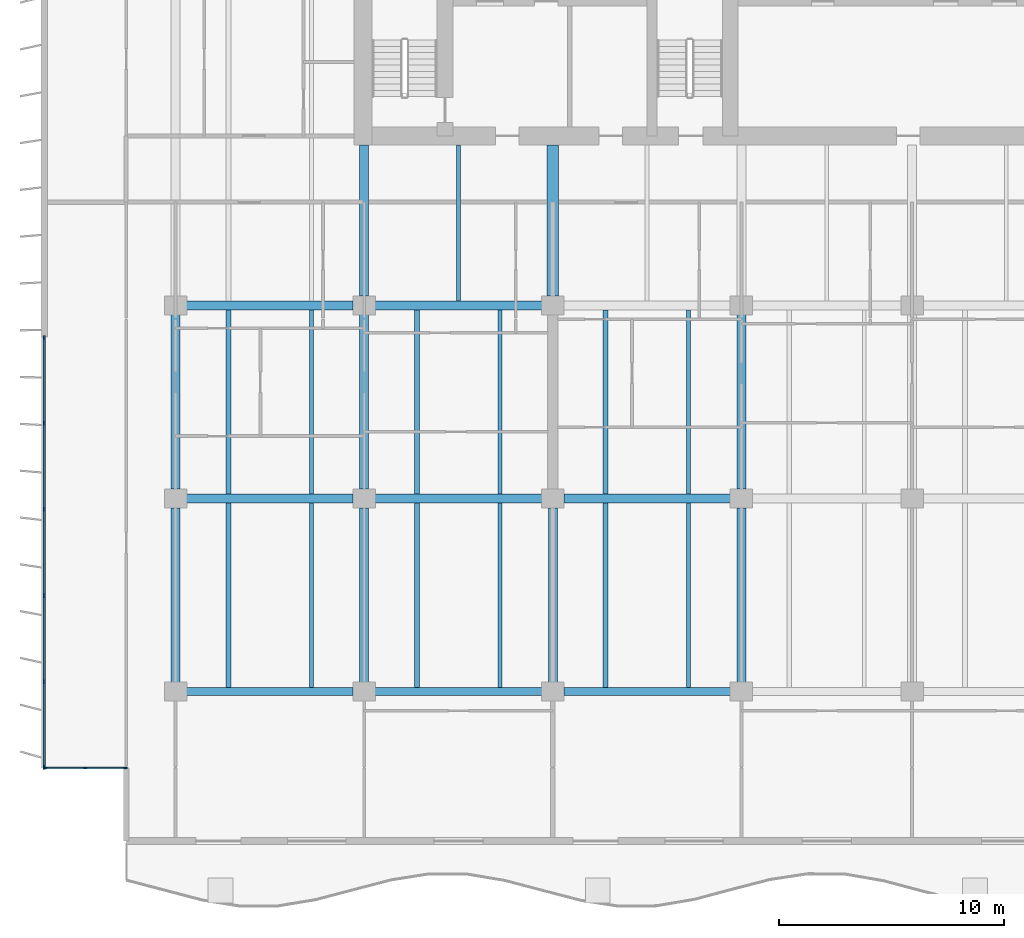
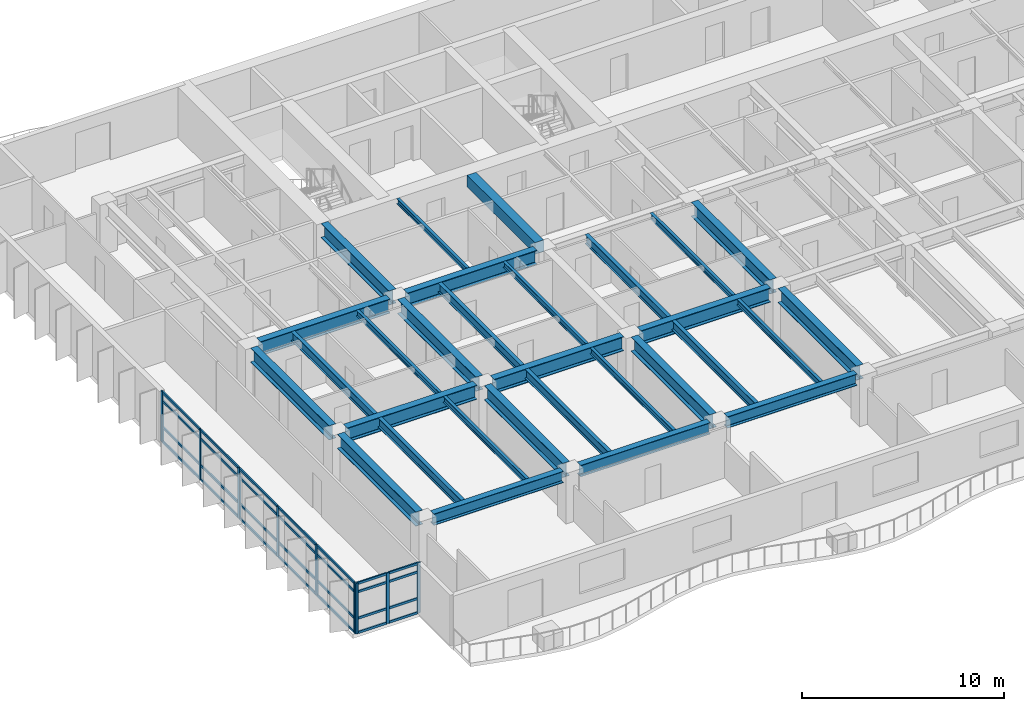
# One storey, part 2 of 15: 37 members, 30 beams, 2 elements without a shape of their own.
"""IFC4 building model written with IfcOpenShell, lengths in metres."""

from ifc_helpers import new_model, si_unit, direction, frame, origin, origin_2d, place, context, subcontext, project, spatial, rectangle, i_section, extrude, material, layer, layer_set, material_profile, profile_set, type_object, element, aggregate, save


model = new_model("IFC4")

# Units and contexts
model_context = context("Model", 3, precision=1e-05, world=origin(), true_north=direction((0.0, 1.0)))
body_context = subcontext(model_context, "Body", "Model", "MODEL_VIEW")
ifc_project = project(units=[si_unit("LENGTHUNIT", "METRE"), si_unit("AREAUNIT", "SQUARE_METRE"), si_unit("VOLUMEUNIT", "CUBIC_METRE"), si_unit("PLANEANGLEUNIT", "RADIAN"), si_unit("MASSUNIT", "GRAM", prefix="KILO")], contexts=[model_context])

# Site, building, storey
site_placement = place(None, origin())
site = spatial("IfcSite", under=ifc_project, at=site_placement, CompositionType="ELEMENT")
building_placement = place(site_placement, origin())
building = spatial("IfcBuilding", under=site, at=building_placement, Name="Caelmar Bay Residences", CompositionType="ELEMENT")
storey_placement = place(building_placement, frame((0.0, 0.0, 138.89990234375)))
storey = spatial("IfcBuildingStorey", under=building, at=storey_placement, Name="L38", CompositionType="ELEMENT", Elevation=138.89990234375)

# Beams
ifc_material_1 = material(Name="Steel ASTM A992 Grade 50", Category="steel")
ifc_material_profile_1 = material_profile(ifc_material_1, i_section(OverallWidth=0.40087890625, OverallDepth=0.861083984375, WebThickness=0.019775390625, FlangeThickness=0.032470703125, FilletRadius=0.017822265625, at=origin_2d()), Name="W33X221")
ifc_profile_set_1 = profile_set([ifc_material_profile_1], Name="Steel ASTM A992 Grade 50")
beam_type_1 = type_object("IfcBeamType", Name="BM-GRD-W33X221", PredefinedType="BEAM", material=ifc_profile_set_1)
beam_1_placement = place(storey_placement, frame((10.389892578125, 20.800048828125, 2.61962890625), z_axis=(1.0, 0.0, 0.0), x_axis=(0.0, 1.0, 0.0)))
element("IfcBeam", 1, at=beam_1_placement, inside=storey, type_object=beam_type_1, Name="L38 East-West Girder Y=20.80 (9.9-18.3)", PredefinedType="BEAM", context=body_context, shape_type="SweptSolid", body=[
    extrude(i_section(OverallWidth=0.40087890625, OverallDepth=0.861083984375, WebThickness=0.019775390625, FlangeThickness=0.032470703125, FilletRadius=0.017822265625, at=origin_2d()), origin(), (0.0, 0.0, 1.0), 7.420166015625),
])
beam_2_placement = place(storey_placement, frame((18.7900390625, 20.800048828125, 2.61962890625), z_axis=(1.0, 0.0, 0.0), x_axis=(0.0, 1.0, 0.0)))
element("IfcBeam", 2, at=beam_2_placement, inside=storey, type_object=beam_type_1, Name="L38 East-West Girder Y=20.80 (18.3-26.7)", PredefinedType="BEAM", context=body_context, shape_type="SweptSolid", body=[
    extrude(i_section(OverallWidth=0.40087890625, OverallDepth=0.861083984375, WebThickness=0.019775390625, FlangeThickness=0.032470703125, FilletRadius=0.017822265625, at=origin_2d()), origin(), (0.0, 0.0, 1.0), 7.419921875),
])
for number, where, z_axis, x_axis, name in (
    (3, (27.18994140625, 20.800048828125, 2.61962890625), (1.0, 0.0, 0.0), (0.0, 1.0, 0.0), "L38 East-West Girder Y=20.80 (26.7-35.1)"),
    (4, (10.389892578125, 29.39990234375, 2.61962890625), (1.0, 0.0, 0.0), (0.0, 1.0, 0.0), "L38 East-West Girder Y=29.40 (9.9-18.3)"),
):
    element("IfcBeam", number, at=place(storey_placement, frame(where, z_axis=z_axis, x_axis=x_axis)), inside=storey, type_object=beam_type_1, Name=name, PredefinedType="BEAM", context=body_context, shape_type="SweptSolid", body=[
        extrude(i_section(OverallWidth=0.40087890625, OverallDepth=0.861083984375, WebThickness=0.019775390625, FlangeThickness=0.032470703125, FilletRadius=0.017822265625, at=origin_2d()), origin(), (0.0, 0.0, 1.0), 7.420166015625),
    ])
beam_3_placement = place(storey_placement, frame((18.7900390625, 29.39990234375, 2.61962890625), z_axis=(1.0, 0.0, 0.0), x_axis=(0.0, 1.0, 0.0)))
element("IfcBeam", 5, at=beam_3_placement, inside=storey, type_object=beam_type_1, Name="L38 East-West Girder Y=29.40 (18.3-26.7)", PredefinedType="BEAM", context=body_context, shape_type="SweptSolid", body=[
    extrude(i_section(OverallWidth=0.40087890625, OverallDepth=0.861083984375, WebThickness=0.019775390625, FlangeThickness=0.032470703125, FilletRadius=0.017822265625, at=origin_2d()), origin(), (0.0, 0.0, 1.0), 7.419921875),
])
for number, where, z_axis, x_axis, name in (
    (6, (9.89990234375, 12.614990234375, 2.61962890625), (0.0, 1.0, 0.0), (-1.0, 0.0, 0.0), "L38 North-South Girder X=9.90 (12.2-20.8)"),
    (7, (9.89990234375, 21.215087890625, 2.61962890625), (0.0, 1.0, 0.0), (-1.0, 0.0, 0.0), "L38 North-South Girder X=9.90 (20.8-29.4)"),
):
    element("IfcBeam", number, at=place(storey_placement, frame(where, z_axis=z_axis, x_axis=x_axis)), inside=storey, type_object=beam_type_1, Name=name, PredefinedType="BEAM", context=body_context, shape_type="SweptSolid", body=[
        extrude(i_section(OverallWidth=0.40087890625, OverallDepth=0.861083984375, WebThickness=0.019775390625, FlangeThickness=0.032470703125, FilletRadius=0.017822265625, at=origin_2d()), origin(), (0.0, 0.0, 1.0), 7.77001953125),
    ])
beam_4_placement = place(storey_placement, frame((18.300048828125, 29.81494140625, 2.61962890625), z_axis=(0.0, 1.0, 0.0), x_axis=(-1.0, 0.0, 0.0)))
element("IfcBeam", 8, at=beam_4_placement, inside=storey, type_object=beam_type_1, Name="L38 Core Tie Girder X=18.30", PredefinedType="BEAM", context=body_context, shape_type="SweptSolid", body=[
    extrude(i_section(OverallWidth=0.40087890625, OverallDepth=0.861083984375, WebThickness=0.019775390625, FlangeThickness=0.032470703125, FilletRadius=0.017822265625, at=origin_2d()), origin(), (0.0, 0.0, 1.0), 6.735107421875),
])
for number, where, z_axis, x_axis, name in (
    (9, (18.300048828125, 12.614990234375, 2.61962890625), (0.0, 1.0, 0.0), (-1.0, 0.0, 0.0), "L38 North-South Girder X=18.30 (12.2-20.8)"),
    (10, (18.300048828125, 21.215087890625, 2.61962890625), (0.0, 1.0, 0.0), (-1.0, 0.0, 0.0), "L38 North-South Girder X=18.30 (20.8-29.4)"),
    (11, (26.699951171875, 12.614990234375, 2.61962890625), (0.0, 1.0, 0.0), (-1.0, 0.0, 0.0), "L38 North-South Girder X=26.70 (12.2-20.8)"),
    (12, (35.10009765625, 12.614990234375, 2.61962890625), (0.0, 1.0, 0.0), (-1.0, 0.0, 0.0), "L38 North-South Girder X=35.10 (12.2-20.8)"),
    (13, (35.10009765625, 21.215087890625, 2.61962890625), (0.0, 1.0, 0.0), (-1.0, 0.0, 0.0), "L38 North-South Girder X=35.10 (20.8-29.4)"),
):
    element("IfcBeam", number, at=place(storey_placement, frame(where, z_axis=z_axis, x_axis=x_axis)), inside=storey, type_object=beam_type_1, Name=name, PredefinedType="BEAM", context=body_context, shape_type="SweptSolid", body=[
        extrude(i_section(OverallWidth=0.40087890625, OverallDepth=0.861083984375, WebThickness=0.019775390625, FlangeThickness=0.032470703125, FilletRadius=0.017822265625, at=origin_2d()), origin(), (0.0, 0.0, 1.0), 7.77001953125),
    ])
ifc_material_profile_2 = material_profile(ifc_material_1, i_section(OverallWidth=0.1650390625, OverallDepth=0.31005859375, WebThickness=0.005859375, FlangeThickness=0.009765625, FilletRadius=0.007568359375, at=origin_2d()), Name="W12X26")
ifc_profile_set_2 = profile_set([ifc_material_profile_2], Name="Steel ASTM A992 Grade 50")
beam_type_2 = type_object("IfcBeamType", Name="BM-JST-W12X26", PredefinedType="JOIST", material=ifc_profile_set_2)
beam_5_placement = place(storey_placement, frame((22.5, 29.6005859375, 2.89501953125), z_axis=(0.0, 1.0, 0.0), x_axis=(-1.0, 0.0, 0.0)))
element("IfcBeam", 14, at=beam_5_placement, inside=storey, type_object=beam_type_2, Name="L38 Core-Band Composite Joist 29", PredefinedType="JOIST", context=body_context, shape_type="SweptSolid", body=[
    extrude(i_section(OverallWidth=0.1650390625, OverallDepth=0.31005859375, WebThickness=0.005859375, FlangeThickness=0.009765625, FilletRadius=0.007568359375, at=origin_2d()), origin(), (0.0, 0.0, 1.0), 6.949462890625),
])
ifc_material_profile_3 = material_profile(ifc_material_1, i_section(OverallWidth=0.1708984375, OverallDepth=0.35595703125, WebThickness=0.007080078125, FlangeThickness=0.01171875, FilletRadius=0.007568359375, at=origin_2d()), Name="W14X34")
ifc_profile_set_3 = profile_set([ifc_material_profile_3], Name="Steel ASTM A992 Grade 50")
beam_type_3 = type_object("IfcBeamType", Name="BM-JST-W14X34", PredefinedType="JOIST", material=ifc_profile_set_3)
for number, where, z_axis, x_axis, name in (
    (15, (15.947998046875, 12.3779296875, 2.8720703125), (0.0, 1.0, 0.0), (-1.0, 0.0, 0.0), "L38 Composite Floor Joist 2"),
    (16, (24.347900390625, 12.3779296875, 2.8720703125), (0.0, 1.0, 0.0), (-1.0, 0.0, 0.0), "L38 Composite Floor Joist 4"),
    (17, (32.748046875, 12.3779296875, 2.8720703125), (0.0, 1.0, 0.0), (-1.0, 0.0, 0.0), "L38 Composite Floor Joist 6"),
):
    element("IfcBeam", number, at=place(storey_placement, frame(where, z_axis=z_axis, x_axis=x_axis)), inside=storey, type_object=beam_type_3, Name=name, PredefinedType="JOIST", context=body_context, shape_type="SweptSolid", body=[
        extrude(i_section(OverallWidth=0.1708984375, OverallDepth=0.35595703125, WebThickness=0.007080078125, FlangeThickness=0.01171875, FilletRadius=0.007568359375, at=origin_2d()), origin(), (0.0, 0.0, 1.0), 8.2216796875),
    ])
for number, where, z_axis, x_axis, name in (
    (18, (15.947998046875, 21.00048828125, 2.8720703125), (0.0, 1.0, 0.0), (-1.0, 0.0, 0.0), "L38 Composite Floor Joist 16"),
    (19, (24.347900390625, 21.00048828125, 2.8720703125), (0.0, 1.0, 0.0), (-1.0, 0.0, 0.0), "L38 Composite Floor Joist 18"),
    (20, (32.748046875, 21.00048828125, 2.8720703125), (0.0, 1.0, 0.0), (-1.0, 0.0, 0.0), "L38 Composite Floor Joist 20"),
):
    element("IfcBeam", number, at=place(storey_placement, frame(where, z_axis=z_axis, x_axis=x_axis)), inside=storey, type_object=beam_type_3, Name=name, PredefinedType="JOIST", context=body_context, shape_type="SweptSolid", body=[
        extrude(i_section(OverallWidth=0.1708984375, OverallDepth=0.35595703125, WebThickness=0.007080078125, FlangeThickness=0.01171875, FilletRadius=0.007568359375, at=origin_2d()), origin(), (0.0, 0.0, 1.0), 8.198974609375),
    ])
ifc_material_profile_4 = material_profile(ifc_material_1, i_section(OverallWidth=0.214111328125, OverallDepth=0.549072265625, WebThickness=0.0146484375, FlangeThickness=0.023681640625, FilletRadius=0.0126953125, at=origin_2d()), Name="W21X93")
ifc_profile_set_4 = profile_set([ifc_material_profile_4], Name="Steel ASTM A992 Grade 50")
beam_type_4 = type_object("IfcBeamType", Name="BM-JST-W21X93", PredefinedType="JOIST", material=ifc_profile_set_4)
for number, where, z_axis, x_axis, name in (
    (21, (12.251953125, 12.3779296875, 2.775634765625), (0.0, 1.0, 0.0), (-1.0, 0.0, 0.0), "L38 Composite Floor Joist 1"),
    (22, (20.652099609375, 12.3779296875, 2.775634765625), (0.0, 1.0, 0.0), (-1.0, 0.0, 0.0), "L38 Composite Floor Joist 3"),
    (23, (29.052001953125, 12.3779296875, 2.775634765625), (0.0, 1.0, 0.0), (-1.0, 0.0, 0.0), "L38 Composite Floor Joist 5"),
):
    element("IfcBeam", number, at=place(storey_placement, frame(where, z_axis=z_axis, x_axis=x_axis)), inside=storey, type_object=beam_type_4, Name=name, PredefinedType="JOIST", context=body_context, shape_type="SweptSolid", body=[
        extrude(i_section(OverallWidth=0.214111328125, OverallDepth=0.549072265625, WebThickness=0.0146484375, FlangeThickness=0.023681640625, FilletRadius=0.0126953125, at=origin_2d()), origin(), (0.0, 0.0, 1.0), 8.2216796875),
    ])
for number, where, z_axis, x_axis, name in (
    (24, (12.251953125, 21.00048828125, 2.775634765625), (0.0, 1.0, 0.0), (-1.0, 0.0, 0.0), "L38 Composite Floor Joist 15"),
    (25, (20.652099609375, 21.00048828125, 2.775634765625), (0.0, 1.0, 0.0), (-1.0, 0.0, 0.0), "L38 Composite Floor Joist 17"),
    (26, (29.052001953125, 21.00048828125, 2.775634765625), (0.0, 1.0, 0.0), (-1.0, 0.0, 0.0), "L38 Composite Floor Joist 19"),
):
    element("IfcBeam", number, at=place(storey_placement, frame(where, z_axis=z_axis, x_axis=x_axis)), inside=storey, type_object=beam_type_4, Name=name, PredefinedType="JOIST", context=body_context, shape_type="SweptSolid", body=[
        extrude(i_section(OverallWidth=0.214111328125, OverallDepth=0.549072265625, WebThickness=0.0146484375, FlangeThickness=0.023681640625, FilletRadius=0.0126953125, at=origin_2d()), origin(), (0.0, 0.0, 1.0), 8.198974609375),
    ])
ifc_material_2 = material(Name="Concrete f'c 55 MPa (8,000 psi)", Category="concrete")
ifc_material_profile_5 = material_profile(ifc_material_2, rectangle(XDim=0.5, YDim=0.699951171875, at=origin_2d()), Name="RC-BM-500X700")
ifc_profile_set_5 = profile_set([ifc_material_profile_5], Name="Concrete f'c 55 MPa (8,000 psi)")
beam_type_5 = type_object("IfcBeamType", Name="BM-RC-500X700", PredefinedType="LINTEL", material=ifc_profile_set_5)
beam_6_placement = place(storey_placement, frame((26.699951171875, 29.81494140625, 2.7001953125), z_axis=(0.0, 1.0, 0.0), x_axis=(-1.0, 0.0, 0.0)))
element("IfcBeam", 27, at=beam_6_placement, inside=storey, type_object=beam_type_5, Name="L38 Shear-Wall Corridor Coupling Lintel W5", PredefinedType="LINTEL", context=body_context, shape_type="SweptSolid", body=[
    extrude(rectangle(XDim=0.5, YDim=0.699951171875, at=origin_2d()), origin(), (0.0, 0.0, 1.0), 6.735107421875),
])
ifc_material_profile_6 = material_profile(ifc_material_1, i_section(OverallWidth=0.35595703125, OverallDepth=0.696044921875, WebThickness=0.015380859375, FlangeThickness=0.02490234375, FilletRadius=0.01513671875, at=origin_2d()), Name="W27X146")
ifc_profile_set_6 = profile_set([ifc_material_profile_6], Name="Steel ASTM A992 Grade 50")
beam_type_6 = type_object("IfcBeamType", Name="BM-SPN-W27X146", PredefinedType="SPANDREL", material=ifc_profile_set_6)
beam_7_placement = place(storey_placement, frame((10.389892578125, 12.199951171875, 2.7021484375), z_axis=(1.0, 0.0, 0.0), x_axis=(0.0, 1.0, 0.0)))
element("IfcBeam", 28, at=beam_7_placement, inside=storey, type_object=beam_type_6, Name="L38 East-West Girder Y=12.20 (9.9-18.3)", PredefinedType="SPANDREL", context=body_context, shape_type="SweptSolid", body=[
    extrude(i_section(OverallWidth=0.35595703125, OverallDepth=0.696044921875, WebThickness=0.015380859375, FlangeThickness=0.02490234375, FilletRadius=0.01513671875, at=origin_2d()), origin(), (0.0, 0.0, 1.0), 7.420166015625),
])
beam_8_placement = place(storey_placement, frame((18.7900390625, 12.199951171875, 2.7021484375), z_axis=(1.0, 0.0, 0.0), x_axis=(0.0, 1.0, 0.0)))
element("IfcBeam", 29, at=beam_8_placement, inside=storey, type_object=beam_type_6, Name="L38 East-West Girder Y=12.20 (18.3-26.7)", PredefinedType="SPANDREL", context=body_context, shape_type="SweptSolid", body=[
    extrude(i_section(OverallWidth=0.35595703125, OverallDepth=0.696044921875, WebThickness=0.015380859375, FlangeThickness=0.02490234375, FilletRadius=0.01513671875, at=origin_2d()), origin(), (0.0, 0.0, 1.0), 7.419921875),
])
beam_9_placement = place(storey_placement, frame((27.18994140625, 12.199951171875, 2.7021484375), z_axis=(1.0, 0.0, 0.0), x_axis=(0.0, 1.0, 0.0)))
element("IfcBeam", 30, at=beam_9_placement, inside=storey, type_object=beam_type_6, Name="L38 East-West Girder Y=12.20 (26.7-35.1)", PredefinedType="SPANDREL", context=body_context, shape_type="SweptSolid", body=[
    extrude(i_section(OverallWidth=0.35595703125, OverallDepth=0.696044921875, WebThickness=0.015380859375, FlangeThickness=0.02490234375, FilletRadius=0.01513671875, at=origin_2d()), origin(), (0.0, 0.0, 1.0), 7.420166015625),
])

# Curtain wall, members
ifc_material_3 = material(Name="Anodised bronze aluminium 6063-T6 and laminated glass", Category="aluminium")
ifc_layer_1 = layer(ifc_material_3, 0.179931640625)
ifc_layer_set_1 = layer_set([ifc_layer_1], Name="Anodised bronze aluminium 6063-T6 and laminated glass")
curtain_wall_type_1 = type_object("IfcCurtainWallType", Name="CW6-NTC", PredefinedType="NOTDEFINED", material=ifc_layer_set_1)
curtain_wall_1_placement = place(storey_placement, origin())
curtain_wall_1 = element("IfcCurtainWall", 31, at=curtain_wall_1_placement, inside=storey, type_object=curtain_wall_type_1, Name="CW6 curtain wall L38", PredefinedType="NOTDEFINED")
ifc_material_4 = material(Name="Anodised bronze aluminium 6063-T6", Category="aluminium")
ifc_material_profile_7 = material_profile(ifc_material_4, rectangle(XDim=0.080078125, YDim=0.179931640625, at=origin_2d()), Name="CWM-80X180")
ifc_profile_set_7 = profile_set([ifc_material_profile_7], Name="Anodised bronze aluminium 6063-T6")
member_type_1 = type_object("IfcMemberType", Name="CWM-180", PredefinedType="MULLION", material=ifc_profile_set_7)
member_1_placement = place(storey_placement, frame((4.090087890625, 8.800048828125, 0.0), z_axis=(0.0, 0.0, 1.0), x_axis=(0.0, 1.0, 0.0)))
member_1 = element("IfcMember", 32, at=member_1_placement, type_object=member_type_1, Name="CW6 mullion 1", PredefinedType="MULLION", context=body_context, shape_type="SweptSolid", body=[
    extrude(rectangle(XDim=0.080078125, YDim=0.179931640625, at=origin_2d()), origin(), (0.0, 0.0, 1.0), 3.050048828125),
])
member_2_placement = place(storey_placement, frame((5.875, 8.800048828125, 0.0), z_axis=(0.0, 0.0, 1.0), x_axis=(0.0, 1.0, 0.0)))
member_2 = element("IfcMember", 33, at=member_2_placement, type_object=member_type_1, Name="CW6 mullion 2", PredefinedType="MULLION", context=body_context, shape_type="SweptSolid", body=[
    extrude(rectangle(XDim=0.080078125, YDim=0.179931640625, at=origin_2d()), origin(), (0.0, 0.0, 1.0), 3.050048828125),
])
member_3_placement = place(storey_placement, frame((7.659912109375, 8.800048828125, 0.0), z_axis=(0.0, 0.0, 1.0), x_axis=(0.0, 1.0, 0.0)))
member_3 = element("IfcMember", 34, at=member_3_placement, type_object=member_type_1, Name="CW6 mullion 3", PredefinedType="MULLION", context=body_context, shape_type="SweptSolid", body=[
    extrude(rectangle(XDim=0.080078125, YDim=0.179931640625, at=origin_2d()), origin(), (0.0, 0.0, 1.0), 3.050048828125),
])

ifc_layer_2 = layer(ifc_material_3, 0.179931640625)
ifc_layer_set_2 = layer_set([ifc_layer_2], Name="Anodised bronze aluminium 6063-T6 and laminated glass")
curtain_wall_type_2 = type_object("IfcCurtainWallType", Name="CW3-Z2", PredefinedType="NOTDEFINED", material=ifc_layer_set_2)
curtain_wall_2_placement = place(storey_placement, origin())
curtain_wall_2 = element("IfcCurtainWall", 35, at=curtain_wall_2_placement, inside=storey, type_object=curtain_wall_type_2, Name="CW3 curtain wall L38", PredefinedType="NOTDEFINED")
member_4_placement = place(storey_placement, frame((4.050048828125, 8.840087890625, 0.0), z_axis=(0.0, 0.0, 1.0), x_axis=(-1.0, 0.0, 0.0)))
member_4 = element("IfcMember", 36, at=member_4_placement, type_object=member_type_1, Name="CW3 mullion 1", PredefinedType="MULLION", context=body_context, shape_type="SweptSolid", body=[
    extrude(rectangle(XDim=0.080078125, YDim=0.179931640625, at=origin_2d()), origin(), (0.0, 0.0, 1.0), 3.050048828125),
])
member_5_placement = place(storey_placement, frame((4.050048828125, 12.639892578125, 0.0), z_axis=(0.0, 0.0, 1.0), x_axis=(-1.0, 0.0, 0.0)))
member_5 = element("IfcMember", 37, at=member_5_placement, type_object=member_type_1, Name="CW3 mullion 2", PredefinedType="MULLION", context=body_context, shape_type="SweptSolid", body=[
    extrude(rectangle(XDim=0.080078125, YDim=0.179931640625, at=origin_2d()), origin(), (0.0, 0.0, 1.0), 3.050048828125),
])
member_6_placement = place(storey_placement, frame((4.050048828125, 16.47998046875, 0.0), z_axis=(0.0, 0.0, 1.0), x_axis=(-1.0, 0.0, 0.0)))
member_6 = element("IfcMember", 38, at=member_6_placement, type_object=member_type_1, Name="CW3 mullion 3", PredefinedType="MULLION", context=body_context, shape_type="SweptSolid", body=[
    extrude(rectangle(XDim=0.080078125, YDim=0.179931640625, at=origin_2d()), origin(), (0.0, 0.0, 1.0), 3.050048828125),
])
member_7_placement = place(storey_placement, frame((4.050048828125, 20.320068359375, 0.0), z_axis=(0.0, 0.0, 1.0), x_axis=(-1.0, 0.0, 0.0)))
member_7 = element("IfcMember", 39, at=member_7_placement, type_object=member_type_1, Name="CW3 mullion 4", PredefinedType="MULLION", context=body_context, shape_type="SweptSolid", body=[
    extrude(rectangle(XDim=0.080078125, YDim=0.179931640625, at=origin_2d()), origin(), (0.0, 0.0, 1.0), 3.050048828125),
])
member_8_placement = place(storey_placement, frame((4.050048828125, 24.159912109375, 0.0), z_axis=(0.0, 0.0, 1.0), x_axis=(-1.0, 0.0, 0.0)))
member_8 = element("IfcMember", 40, at=member_8_placement, type_object=member_type_1, Name="CW3 mullion 5", PredefinedType="MULLION", context=body_context, shape_type="SweptSolid", body=[
    extrude(rectangle(XDim=0.080078125, YDim=0.179931640625, at=origin_2d()), origin(), (0.0, 0.0, 1.0), 3.050048828125),
])
member_9_placement = place(storey_placement, frame((4.050048828125, 27.9599609375, 0.0), z_axis=(0.0, 0.0, 1.0), x_axis=(-1.0, 0.0, 0.0)))
member_9 = element("IfcMember", 41, at=member_9_placement, type_object=member_type_1, Name="CW3 mullion 6", PredefinedType="MULLION", context=body_context, shape_type="SweptSolid", body=[
    extrude(rectangle(XDim=0.080078125, YDim=0.179931640625, at=origin_2d()), origin(), (0.0, 0.0, 1.0), 3.050048828125),
])

# Member
ifc_material_profile_8 = material_profile(ifc_material_4, rectangle(XDim=0.080078125, YDim=0.139892578125, at=origin_2d()), Name="CWT-80X140")
ifc_profile_set_8 = profile_set([ifc_material_profile_8], Name="Anodised bronze aluminium 6063-T6")
member_type_2 = type_object("IfcMemberType", Name="CWT-140", PredefinedType="NOTDEFINED", material=ifc_profile_set_8)
member_10_placement = place(storey_placement, frame((4.1298828125, 8.800048828125, 0.0400390625), z_axis=(1.0, 0.0, 0.0), x_axis=(0.0, 1.0, 0.0)))
member_10 = element("IfcMember", 42, at=member_10_placement, type_object=member_type_2, Name="CW6 transom 1.1", ObjectType="TRANSOM", PredefinedType="USERDEFINED", context=body_context, shape_type="SweptSolid", body=[
    extrude(rectangle(XDim=0.080078125, YDim=0.139892578125, at=origin_2d()), origin(), (0.0, 0.0, 1.0), 1.705078125),
])

member_11_placement = place(storey_placement, frame((4.1298828125, 8.800048828125, 0.900146484375), z_axis=(1.0, 0.0, 0.0), x_axis=(0.0, 1.0, 0.0)))
member_11 = element("IfcMember", 43, at=member_11_placement, type_object=member_type_2, Name="CW6 transom 1.2", ObjectType="TRANSOM", PredefinedType="USERDEFINED", context=body_context, shape_type="SweptSolid", body=[
    extrude(rectangle(XDim=0.080078125, YDim=0.139892578125, at=origin_2d()), origin(), (0.0, 0.0, 1.0), 1.705078125),
])

member_12_placement = place(storey_placement, frame((4.1298828125, 8.800048828125, 2.5), z_axis=(1.0, 0.0, 0.0), x_axis=(0.0, 1.0, 0.0)))
member_12 = element("IfcMember", 44, at=member_12_placement, type_object=member_type_2, Name="CW6 transom 1.3", ObjectType="TRANSOM", PredefinedType="USERDEFINED", context=body_context, shape_type="SweptSolid", body=[
    extrude(rectangle(XDim=0.080078125, YDim=0.139892578125, at=origin_2d()), origin(), (0.0, 0.0, 1.0), 1.705078125),
])

member_13_placement = place(storey_placement, frame((4.1298828125, 8.800048828125, 3.010009765625), z_axis=(1.0, 0.0, 0.0), x_axis=(0.0, 1.0, 0.0)))
member_13 = element("IfcMember", 45, at=member_13_placement, type_object=member_type_2, Name="CW6 transom 1.4", ObjectType="TRANSOM", PredefinedType="USERDEFINED", context=body_context, shape_type="SweptSolid", body=[
    extrude(rectangle(XDim=0.080078125, YDim=0.139892578125, at=origin_2d()), origin(), (0.0, 0.0, 1.0), 1.705078125),
])

member_14_placement = place(storey_placement, frame((5.9150390625, 8.800048828125, 0.0400390625), z_axis=(1.0, 0.0, 0.0), x_axis=(0.0, 1.0, 0.0)))
member_14 = element("IfcMember", 46, at=member_14_placement, type_object=member_type_2, Name="CW6 transom 2.1", ObjectType="TRANSOM", PredefinedType="USERDEFINED", context=body_context, shape_type="SweptSolid", body=[
    extrude(rectangle(XDim=0.080078125, YDim=0.139892578125, at=origin_2d()), origin(), (0.0, 0.0, 1.0), 1.705078125),
])

member_15_placement = place(storey_placement, frame((5.9150390625, 8.800048828125, 0.900146484375), z_axis=(1.0, 0.0, 0.0), x_axis=(0.0, 1.0, 0.0)))
member_15 = element("IfcMember", 47, at=member_15_placement, type_object=member_type_2, Name="CW6 transom 2.2", ObjectType="TRANSOM", PredefinedType="USERDEFINED", context=body_context, shape_type="SweptSolid", body=[
    extrude(rectangle(XDim=0.080078125, YDim=0.139892578125, at=origin_2d()), origin(), (0.0, 0.0, 1.0), 1.705078125),
])

member_16_placement = place(storey_placement, frame((5.9150390625, 8.800048828125, 2.5), z_axis=(1.0, 0.0, 0.0), x_axis=(0.0, 1.0, 0.0)))
member_16 = element("IfcMember", 48, at=member_16_placement, type_object=member_type_2, Name="CW6 transom 2.3", ObjectType="TRANSOM", PredefinedType="USERDEFINED", context=body_context, shape_type="SweptSolid", body=[
    extrude(rectangle(XDim=0.080078125, YDim=0.139892578125, at=origin_2d()), origin(), (0.0, 0.0, 1.0), 1.705078125),
])

member_17_placement = place(storey_placement, frame((5.9150390625, 8.800048828125, 3.010009765625), z_axis=(1.0, 0.0, 0.0), x_axis=(0.0, 1.0, 0.0)))
member_17 = element("IfcMember", 49, at=member_17_placement, type_object=member_type_2, Name="CW6 transom 2.4", ObjectType="TRANSOM", PredefinedType="USERDEFINED", context=body_context, shape_type="SweptSolid", body=[
    extrude(rectangle(XDim=0.080078125, YDim=0.139892578125, at=origin_2d()), origin(), (0.0, 0.0, 1.0), 1.705078125),
])

aggregate(curtain_wall_1, [member_1, member_2, member_3, member_10, member_11, member_12, member_13, member_14, member_15, member_16, member_17])

member_18_placement = place(storey_placement, frame((4.050048828125, 8.8798828125, 0.0400390625), z_axis=(0.0, 1.0, 0.0), x_axis=(-1.0, 0.0, 0.0)))
member_18 = element("IfcMember", 50, at=member_18_placement, type_object=member_type_2, Name="CW3 transom 1.1", ObjectType="TRANSOM", PredefinedType="USERDEFINED", context=body_context, shape_type="SweptSolid", body=[
    extrude(rectangle(XDim=0.080078125, YDim=0.139892578125, at=origin_2d()), origin(), (0.0, 0.0, 1.0), 3.72021484375),
])

member_19_placement = place(storey_placement, frame((4.050048828125, 8.8798828125, 0.900146484375), z_axis=(0.0, 1.0, 0.0), x_axis=(-1.0, 0.0, 0.0)))
member_19 = element("IfcMember", 51, at=member_19_placement, type_object=member_type_2, Name="CW3 transom 1.2", ObjectType="TRANSOM", PredefinedType="USERDEFINED", context=body_context, shape_type="SweptSolid", body=[
    extrude(rectangle(XDim=0.080078125, YDim=0.139892578125, at=origin_2d()), origin(), (0.0, 0.0, 1.0), 3.72021484375),
])

member_20_placement = place(storey_placement, frame((4.050048828125, 8.8798828125, 2.5), z_axis=(0.0, 1.0, 0.0), x_axis=(-1.0, 0.0, 0.0)))
member_20 = element("IfcMember", 52, at=member_20_placement, type_object=member_type_2, Name="CW3 transom 1.3", ObjectType="TRANSOM", PredefinedType="USERDEFINED", context=body_context, shape_type="SweptSolid", body=[
    extrude(rectangle(XDim=0.080078125, YDim=0.139892578125, at=origin_2d()), origin(), (0.0, 0.0, 1.0), 3.72021484375),
])

member_21_placement = place(storey_placement, frame((4.050048828125, 8.8798828125, 3.010009765625), z_axis=(0.0, 1.0, 0.0), x_axis=(-1.0, 0.0, 0.0)))
member_21 = element("IfcMember", 53, at=member_21_placement, type_object=member_type_2, Name="CW3 transom 1.4", ObjectType="TRANSOM", PredefinedType="USERDEFINED", context=body_context, shape_type="SweptSolid", body=[
    extrude(rectangle(XDim=0.080078125, YDim=0.139892578125, at=origin_2d()), origin(), (0.0, 0.0, 1.0), 3.72021484375),
])

member_22_placement = place(storey_placement, frame((4.050048828125, 12.679931640625, 0.0400390625), z_axis=(0.0, 1.0, 0.0), x_axis=(-1.0, 0.0, 0.0)))
member_22 = element("IfcMember", 54, at=member_22_placement, type_object=member_type_2, Name="CW3 transom 2.1", ObjectType="TRANSOM", PredefinedType="USERDEFINED", context=body_context, shape_type="SweptSolid", body=[
    extrude(rectangle(XDim=0.080078125, YDim=0.139892578125, at=origin_2d()), origin(), (0.0, 0.0, 1.0), 3.760009765625),
])

member_23_placement = place(storey_placement, frame((4.050048828125, 12.679931640625, 0.900146484375), z_axis=(0.0, 1.0, 0.0), x_axis=(-1.0, 0.0, 0.0)))
member_23 = element("IfcMember", 55, at=member_23_placement, type_object=member_type_2, Name="CW3 transom 2.2", ObjectType="TRANSOM", PredefinedType="USERDEFINED", context=body_context, shape_type="SweptSolid", body=[
    extrude(rectangle(XDim=0.080078125, YDim=0.139892578125, at=origin_2d()), origin(), (0.0, 0.0, 1.0), 3.760009765625),
])

member_24_placement = place(storey_placement, frame((4.050048828125, 12.679931640625, 2.5), z_axis=(0.0, 1.0, 0.0), x_axis=(-1.0, 0.0, 0.0)))
member_24 = element("IfcMember", 56, at=member_24_placement, type_object=member_type_2, Name="CW3 transom 2.3", ObjectType="TRANSOM", PredefinedType="USERDEFINED", context=body_context, shape_type="SweptSolid", body=[
    extrude(rectangle(XDim=0.080078125, YDim=0.139892578125, at=origin_2d()), origin(), (0.0, 0.0, 1.0), 3.760009765625),
])

member_25_placement = place(storey_placement, frame((4.050048828125, 12.679931640625, 3.010009765625), z_axis=(0.0, 1.0, 0.0), x_axis=(-1.0, 0.0, 0.0)))
member_25 = element("IfcMember", 57, at=member_25_placement, type_object=member_type_2, Name="CW3 transom 2.4", ObjectType="TRANSOM", PredefinedType="USERDEFINED", context=body_context, shape_type="SweptSolid", body=[
    extrude(rectangle(XDim=0.080078125, YDim=0.139892578125, at=origin_2d()), origin(), (0.0, 0.0, 1.0), 3.760009765625),
])

member_26_placement = place(storey_placement, frame((4.050048828125, 16.52001953125, 0.0400390625), z_axis=(0.0, 1.0, 0.0), x_axis=(-1.0, 0.0, 0.0)))
member_26 = element("IfcMember", 58, at=member_26_placement, type_object=member_type_2, Name="CW3 transom 3.1", ObjectType="TRANSOM", PredefinedType="USERDEFINED", context=body_context, shape_type="SweptSolid", body=[
    extrude(rectangle(XDim=0.080078125, YDim=0.139892578125, at=origin_2d()), origin(), (0.0, 0.0, 1.0), 3.760009765625),
])

member_27_placement = place(storey_placement, frame((4.050048828125, 16.52001953125, 0.900146484375), z_axis=(0.0, 1.0, 0.0), x_axis=(-1.0, 0.0, 0.0)))
member_27 = element("IfcMember", 59, at=member_27_placement, type_object=member_type_2, Name="CW3 transom 3.2", ObjectType="TRANSOM", PredefinedType="USERDEFINED", context=body_context, shape_type="SweptSolid", body=[
    extrude(rectangle(XDim=0.080078125, YDim=0.139892578125, at=origin_2d()), origin(), (0.0, 0.0, 1.0), 3.760009765625),
])

member_28_placement = place(storey_placement, frame((4.050048828125, 16.52001953125, 2.5), z_axis=(0.0, 1.0, 0.0), x_axis=(-1.0, 0.0, 0.0)))
member_28 = element("IfcMember", 60, at=member_28_placement, type_object=member_type_2, Name="CW3 transom 3.3", ObjectType="TRANSOM", PredefinedType="USERDEFINED", context=body_context, shape_type="SweptSolid", body=[
    extrude(rectangle(XDim=0.080078125, YDim=0.139892578125, at=origin_2d()), origin(), (0.0, 0.0, 1.0), 3.760009765625),
])

member_29_placement = place(storey_placement, frame((4.050048828125, 16.52001953125, 3.010009765625), z_axis=(0.0, 1.0, 0.0), x_axis=(-1.0, 0.0, 0.0)))
member_29 = element("IfcMember", 61, at=member_29_placement, type_object=member_type_2, Name="CW3 transom 3.4", ObjectType="TRANSOM", PredefinedType="USERDEFINED", context=body_context, shape_type="SweptSolid", body=[
    extrude(rectangle(XDim=0.080078125, YDim=0.139892578125, at=origin_2d()), origin(), (0.0, 0.0, 1.0), 3.760009765625),
])

member_30_placement = place(storey_placement, frame((4.050048828125, 20.360107421875, 0.0400390625), z_axis=(0.0, 1.0, 0.0), x_axis=(-1.0, 0.0, 0.0)))
member_30 = element("IfcMember", 62, at=member_30_placement, type_object=member_type_2, Name="CW3 transom 4.1", ObjectType="TRANSOM", PredefinedType="USERDEFINED", context=body_context, shape_type="SweptSolid", body=[
    extrude(rectangle(XDim=0.080078125, YDim=0.139892578125, at=origin_2d()), origin(), (0.0, 0.0, 1.0), 3.760009765625),
])

member_31_placement = place(storey_placement, frame((4.050048828125, 20.360107421875, 0.900146484375), z_axis=(0.0, 1.0, 0.0), x_axis=(-1.0, 0.0, 0.0)))
member_31 = element("IfcMember", 63, at=member_31_placement, type_object=member_type_2, Name="CW3 transom 4.2", ObjectType="TRANSOM", PredefinedType="USERDEFINED", context=body_context, shape_type="SweptSolid", body=[
    extrude(rectangle(XDim=0.080078125, YDim=0.139892578125, at=origin_2d()), origin(), (0.0, 0.0, 1.0), 3.760009765625),
])

member_32_placement = place(storey_placement, frame((4.050048828125, 20.360107421875, 2.5), z_axis=(0.0, 1.0, 0.0), x_axis=(-1.0, 0.0, 0.0)))
member_32 = element("IfcMember", 64, at=member_32_placement, type_object=member_type_2, Name="CW3 transom 4.3", ObjectType="TRANSOM", PredefinedType="USERDEFINED", context=body_context, shape_type="SweptSolid", body=[
    extrude(rectangle(XDim=0.080078125, YDim=0.139892578125, at=origin_2d()), origin(), (0.0, 0.0, 1.0), 3.760009765625),
])

member_33_placement = place(storey_placement, frame((4.050048828125, 20.360107421875, 3.010009765625), z_axis=(0.0, 1.0, 0.0), x_axis=(-1.0, 0.0, 0.0)))
member_33 = element("IfcMember", 65, at=member_33_placement, type_object=member_type_2, Name="CW3 transom 4.4", ObjectType="TRANSOM", PredefinedType="USERDEFINED", context=body_context, shape_type="SweptSolid", body=[
    extrude(rectangle(XDim=0.080078125, YDim=0.139892578125, at=origin_2d()), origin(), (0.0, 0.0, 1.0), 3.760009765625),
])

member_34_placement = place(storey_placement, frame((4.050048828125, 24.199951171875, 0.0400390625), z_axis=(0.0, 1.0, 0.0), x_axis=(-1.0, 0.0, 0.0)))
member_34 = element("IfcMember", 66, at=member_34_placement, type_object=member_type_2, Name="CW3 transom 5.1", ObjectType="TRANSOM", PredefinedType="USERDEFINED", context=body_context, shape_type="SweptSolid", body=[
    extrude(rectangle(XDim=0.080078125, YDim=0.139892578125, at=origin_2d()), origin(), (0.0, 0.0, 1.0), 3.719970703125),
])

member_35_placement = place(storey_placement, frame((4.050048828125, 24.199951171875, 0.900146484375), z_axis=(0.0, 1.0, 0.0), x_axis=(-1.0, 0.0, 0.0)))
member_35 = element("IfcMember", 67, at=member_35_placement, type_object=member_type_2, Name="CW3 transom 5.2", ObjectType="TRANSOM", PredefinedType="USERDEFINED", context=body_context, shape_type="SweptSolid", body=[
    extrude(rectangle(XDim=0.080078125, YDim=0.139892578125, at=origin_2d()), origin(), (0.0, 0.0, 1.0), 3.719970703125),
])

member_36_placement = place(storey_placement, frame((4.050048828125, 24.199951171875, 2.5), z_axis=(0.0, 1.0, 0.0), x_axis=(-1.0, 0.0, 0.0)))
member_36 = element("IfcMember", 68, at=member_36_placement, type_object=member_type_2, Name="CW3 transom 5.3", ObjectType="TRANSOM", PredefinedType="USERDEFINED", context=body_context, shape_type="SweptSolid", body=[
    extrude(rectangle(XDim=0.080078125, YDim=0.139892578125, at=origin_2d()), origin(), (0.0, 0.0, 1.0), 3.719970703125),
])

member_37_placement = place(storey_placement, frame((4.050048828125, 24.199951171875, 3.010009765625), z_axis=(0.0, 1.0, 0.0), x_axis=(-1.0, 0.0, 0.0)))
member_37 = element("IfcMember", 69, at=member_37_placement, type_object=member_type_2, Name="CW3 transom 5.4", ObjectType="TRANSOM", PredefinedType="USERDEFINED", context=body_context, shape_type="SweptSolid", body=[
    extrude(rectangle(XDim=0.080078125, YDim=0.139892578125, at=origin_2d()), origin(), (0.0, 0.0, 1.0), 3.719970703125),
])

aggregate(curtain_wall_2, [member_4, member_5, member_6, member_7, member_8, member_9, member_18, member_19, member_20, member_21, member_22, member_23, member_24, member_25, member_26, member_27, member_28, member_29, member_30, member_31, member_32, member_33, member_34, member_35, member_36, member_37])

save(model, "model.ifc")
